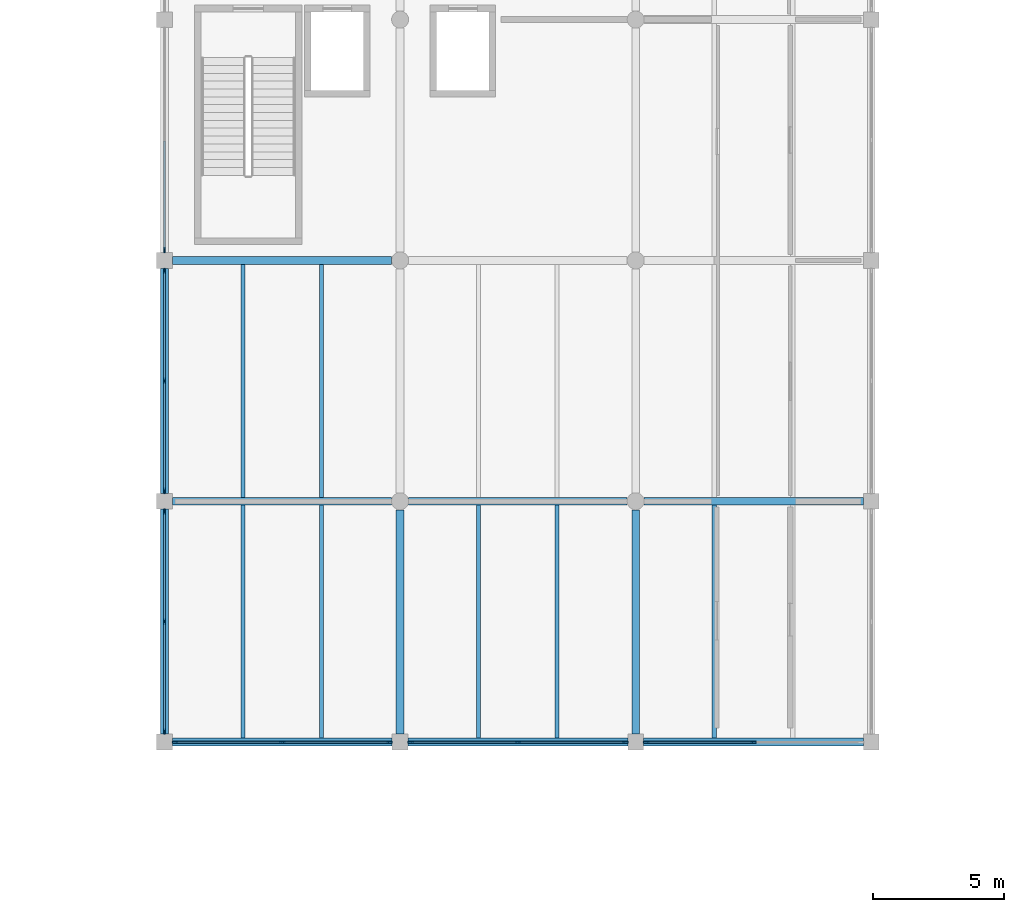
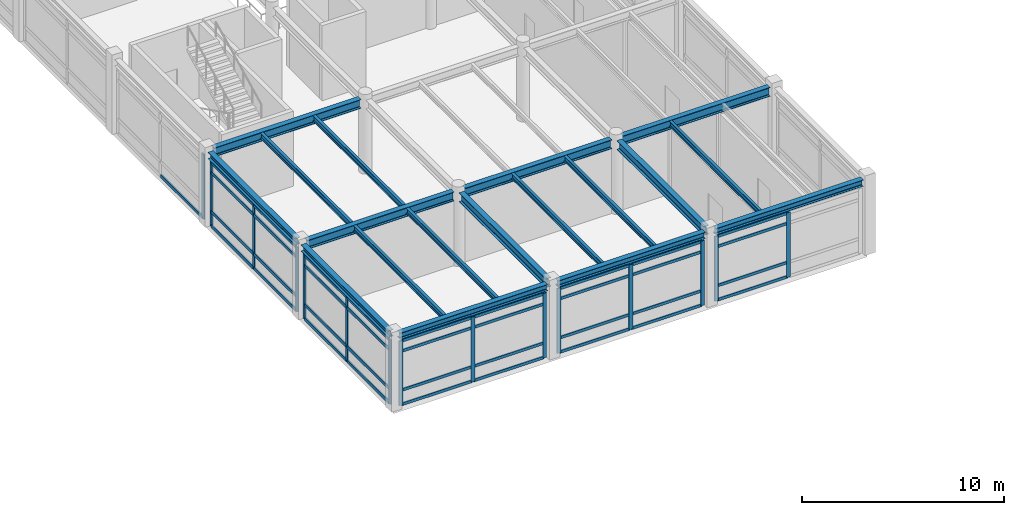
# One storey, part 18 of 61: 52 members, 18 beams, 6 elements without a shape of their own.
"""IFC4 building model written with IfcOpenShell, lengths in metres."""

from ifc_helpers import new_model, si_unit, direction, frame, origin, origin_2d, place, context, subcontext, project, spatial, rectangle, i_section, extrude, material, material_profile, profile_set, type_object, element, aggregate, save


model = new_model("IFC4")

# Units and contexts
model_context = context("Model", 3, precision=1e-05, world=origin(), true_north=direction((0.0, 1.0)))
body_context = subcontext(model_context, "Body", "Model", "MODEL_VIEW")
ifc_project = project(units=[si_unit("LENGTHUNIT", "METRE"), si_unit("AREAUNIT", "SQUARE_METRE"), si_unit("VOLUMEUNIT", "CUBIC_METRE"), si_unit("PLANEANGLEUNIT", "RADIAN"), si_unit("MASSUNIT", "GRAM", prefix="KILO")], contexts=[model_context])

# Site, building, storey
site_placement = place(None, origin())
site = spatial("IfcSite", under=ifc_project, at=site_placement, CompositionType="ELEMENT")
building_placement = place(site_placement, origin())
building = spatial("IfcBuilding", under=site, at=building_placement, Name="Bozkorgan Art Gallery", CompositionType="ELEMENT")
storey_placement = place(building_placement, frame((0.0, 0.0, 10.199951171875)))
storey = spatial("IfcBuildingStorey", under=building, at=storey_placement, Name="L02", CompositionType="ELEMENT", Elevation=10.199951171875)

# Beams
ifc_material_1 = material(Name="Steel S355J2", Category="steel")
ifc_material_profile_1 = material_profile(ifc_material_1, i_section(OverallWidth=0.300048828125, OverallDepth=0.5400390625, WebThickness=0.012451171875, FlangeThickness=0.02392578125, FilletRadius=0.027099609375, at=origin_2d()), Name="HEA 550")
ifc_profile_set_1 = profile_set([ifc_material_profile_1], Name="Steel S355J2")
beam_type_1 = type_object("IfcBeamType", Name="BEAM-BM-35", PredefinedType="BEAM", material=ifc_profile_set_1)
beam_1_placement = place(storey_placement, frame((74.300048828125, 47.60009765625, 4.2099609375), z_axis=(1.0, 0.0, 0.0), x_axis=(0.0, 1.0, 0.0)))
element("IfcBeam", 1, at=beam_1_placement, inside=storey, type_object=beam_type_1, Name="V4 L02 beam X (74-83, 47.6)", PredefinedType="BEAM", context=body_context, shape_type="SweptSolid", body=[
    extrude(i_section(OverallWidth=0.300048828125, OverallDepth=0.5400390625, WebThickness=0.012451171875, FlangeThickness=0.02392578125, FilletRadius=0.027099609375, at=origin_2d()), origin(), (0.0, 0.0, 1.0), 8.375),
])
beam_2_placement = place(storey_placement, frame((83.324951171875, 47.60009765625, 4.2099609375), z_axis=(1.0, 0.0, 0.0), x_axis=(0.0, 1.0, 0.0)))
element("IfcBeam", 2, at=beam_2_placement, inside=storey, type_object=beam_type_1, Name="V4 L02 beam X (83-92, 47.6)", PredefinedType="BEAM", context=body_context, shape_type="SweptSolid", body=[
    extrude(i_section(OverallWidth=0.300048828125, OverallDepth=0.5400390625, WebThickness=0.012451171875, FlangeThickness=0.02392578125, FilletRadius=0.027099609375, at=origin_2d()), origin(), (0.0, 0.0, 1.0), 8.35009765625),
])
for number, where, z_axis, x_axis, name in (
    (3, (92.324951171875, 47.60009765625, 4.2099609375), (1.0, 0.0, 0.0), (0.0, 1.0, 0.0), "V4 L02 beam X (92-101, 47.6)"),
    (4, (74.300048828125, 56.800048828125, 4.2099609375), (1.0, 0.0, 0.0), (0.0, 1.0, 0.0), "V4 L02 beam X (74-83, 56.8)"),
):
    element("IfcBeam", number, at=place(storey_placement, frame(where, z_axis=z_axis, x_axis=x_axis)), inside=storey, type_object=beam_type_1, Name=name, PredefinedType="BEAM", context=body_context, shape_type="SweptSolid", body=[
        extrude(i_section(OverallWidth=0.300048828125, OverallDepth=0.5400390625, WebThickness=0.012451171875, FlangeThickness=0.02392578125, FilletRadius=0.027099609375, at=origin_2d()), origin(), (0.0, 0.0, 1.0), 8.375),
    ])
for number, where, z_axis, x_axis, name in (
    (5, (83.0, 38.699951171875, 4.2099609375), (0.0, 1.0, 0.0), (-1.0, 0.0, 0.0), "V4 L02 beam Y (83, 38.4-47.6)"),
    (6, (92.0, 38.699951171875, 4.2099609375), (0.0, 1.0, 0.0), (-1.0, 0.0, 0.0), "V4 L02 beam Y (92, 38.4-47.6)"),
):
    element("IfcBeam", number, at=place(storey_placement, frame(where, z_axis=z_axis, x_axis=x_axis)), inside=storey, type_object=beam_type_1, Name=name, PredefinedType="BEAM", context=body_context, shape_type="SweptSolid", body=[
        extrude(i_section(OverallWidth=0.300048828125, OverallDepth=0.5400390625, WebThickness=0.012451171875, FlangeThickness=0.02392578125, FilletRadius=0.027099609375, at=origin_2d()), origin(), (0.0, 0.0, 1.0), 8.574951171875),
    ])
ifc_material_profile_2 = material_profile(ifc_material_1, i_section(OverallWidth=0.159912109375, OverallDepth=0.330078125, WebThickness=0.007568359375, FlangeThickness=0.011474609375, FilletRadius=0.01806640625, at=origin_2d()), Name="IPE 330")
ifc_profile_set_2 = profile_set([ifc_material_profile_2], Name="Steel S355J2")
beam_type_2 = type_object("IfcBeamType", Name="BEAM-JS-33", PredefinedType="JOIST", material=ifc_profile_set_2)
for number, where, z_axis, x_axis, name in (
    (7, (77.0, 38.550048828125, 4.31494140625), (0.0, 1.0, 0.0), (-1.0, 0.0, 0.0), "V4 L02 secondary joist (74-83, 38.4-47.6) #1"),
    (8, (80.0, 38.550048828125, 4.31494140625), (0.0, 1.0, 0.0), (-1.0, 0.0, 0.0), "V4 L02 secondary joist (74-83, 38.4-47.6) #2"),
    (9, (77.0, 47.75, 4.31494140625), (0.0, 1.0, 0.0), (-1.0, 0.0, 0.0), "V4 L02 secondary joist (74-83, 47.6-56.8) #1"),
    (10, (80.0, 47.75, 4.31494140625), (0.0, 1.0, 0.0), (-1.0, 0.0, 0.0), "V4 L02 secondary joist (74-83, 47.6-56.8) #2"),
    (11, (86.0, 38.550048828125, 4.31494140625), (0.0, 1.0, 0.0), (-1.0, 0.0, 0.0), "V4 L02 secondary joist (83-92, 38.4-47.6) #1"),
    (12, (89.0, 38.550048828125, 4.31494140625), (0.0, 1.0, 0.0), (-1.0, 0.0, 0.0), "V4 L02 secondary joist (83-92, 38.4-47.6) #2"),
    (13, (95.0, 38.550048828125, 4.31494140625), (0.0, 1.0, 0.0), (-1.0, 0.0, 0.0), "V4 L02 secondary joist (92-101, 38.4-47.6) #1"),
):
    element("IfcBeam", number, at=place(storey_placement, frame(where, z_axis=z_axis, x_axis=x_axis)), inside=storey, type_object=beam_type_2, Name=name, PredefinedType="JOIST", context=body_context, shape_type="SweptSolid", body=[
        extrude(i_section(OverallWidth=0.159912109375, OverallDepth=0.330078125, WebThickness=0.007568359375, FlangeThickness=0.011474609375, FilletRadius=0.01806640625, at=origin_2d()), origin(), (0.0, 0.0, 1.0), 8.89990234375),
    ])
ifc_material_profile_3 = material_profile(ifc_material_1, i_section(OverallWidth=0.300048828125, OverallDepth=0.389892578125, WebThickness=0.010986328125, FlangeThickness=0.01904296875, FilletRadius=0.027099609375, at=origin_2d()), Name="HEA 400")
ifc_profile_set_3 = profile_set([ifc_material_profile_3], Name="Steel S355J2")
beam_type_3 = type_object("IfcBeamType", Name="BEAM-SP-65", PredefinedType="SPANDREL", material=ifc_profile_set_3)
for number, where, z_axis, x_axis, name in (
    (14, (74.300048828125, 38.39990234375, 4.28515625), (1.0, 0.0, 0.0), (0.0, 1.0, 0.0), "V4 L02 spandrel X (74-83, 38.4)"),
    (15, (83.300048828125, 38.39990234375, 4.28515625), (1.0, 0.0, 0.0), (0.0, 1.0, 0.0), "V4 L02 spandrel X (83-92, 38.4)"),
    (16, (92.300048828125, 38.39990234375, 4.28515625), (1.0, 0.0, 0.0), (0.0, 1.0, 0.0), "V4 L02 spandrel X (92-101, 38.4)"),
):
    element("IfcBeam", number, at=place(storey_placement, frame(where, z_axis=z_axis, x_axis=x_axis)), inside=storey, type_object=beam_type_3, Name=name, PredefinedType="SPANDREL", context=body_context, shape_type="SweptSolid", body=[
        extrude(i_section(OverallWidth=0.300048828125, OverallDepth=0.389892578125, WebThickness=0.010986328125, FlangeThickness=0.01904296875, FilletRadius=0.027099609375, at=origin_2d()), origin(), (0.0, 0.0, 1.0), 8.39990234375),
    ])
for number, where, z_axis, x_axis, name in (
    (17, (74.0, 38.699951171875, 4.28515625), (0.0, 1.0, 0.0), (-1.0, 0.0, 0.0), "V4 L02 spandrel Y (74, 38.4-47.6)"),
    (18, (74.0, 47.89990234375, 4.28515625), (0.0, 1.0, 0.0), (-1.0, 0.0, 0.0), "V4 L02 spandrel Y (74, 47.6-56.8)"),
):
    element("IfcBeam", number, at=place(storey_placement, frame(where, z_axis=z_axis, x_axis=x_axis)), inside=storey, type_object=beam_type_3, Name=name, PredefinedType="SPANDREL", context=body_context, shape_type="SweptSolid", body=[
        extrude(i_section(OverallWidth=0.300048828125, OverallDepth=0.389892578125, WebThickness=0.010986328125, FlangeThickness=0.01904296875, FilletRadius=0.027099609375, at=origin_2d()), origin(), (0.0, 0.0, 1.0), 8.60009765625),
    ])

# Curtain wall, members
ifc_material_2 = material(Name="Anodised Bronze Aluminium", Category="aluminium")
curtain_wall_type_1 = type_object("IfcCurtainWallType", Name="CW-CW-11", PredefinedType="NOTDEFINED", material=ifc_material_2)
curtain_wall_1_placement = place(storey_placement, origin())
curtain_wall_1 = element("IfcCurtainWall", 19, at=curtain_wall_1_placement, inside=storey, type_object=curtain_wall_type_1, Name="L02 unitised curtain wall CW-V4-L02-1S-01", PredefinedType="NOTDEFINED")
ifc_material_profile_4 = material_profile(ifc_material_2, rectangle(XDim=0.074951171875, YDim=0.219970703125, at=origin_2d()), Name="ALU MULLION 75x220")
ifc_profile_set_4 = profile_set([ifc_material_profile_4], Name="Anodised Bronze Aluminium")
member_type_1 = type_object("IfcMemberType", Name="CWM-02", PredefinedType="MULLION", material=ifc_profile_set_4)
member_1_placement = place(storey_placement, frame((74.402587890625, 38.39990234375, 0.02001953125), z_axis=(0.0, 0.0, 1.0), x_axis=(0.0, 1.0, 0.0)))
member_1 = element("IfcMember", 20, at=member_1_placement, type_object=member_type_1, Name="CW-11 mullion 1", PredefinedType="MULLION", context=body_context, shape_type="SweptSolid", body=[
    extrude(rectangle(XDim=0.074951171875, YDim=0.219970703125, at=origin_2d()), origin(), (0.0, 0.0, 1.0), 3.905029296875),
])
member_2_placement = place(storey_placement, frame((78.5, 38.39990234375, 0.02001953125), z_axis=(0.0, 0.0, 1.0), x_axis=(0.0, 1.0, 0.0)))
member_2 = element("IfcMember", 21, at=member_2_placement, type_object=member_type_1, Name="CW-11 mullion 2", PredefinedType="MULLION", context=body_context, shape_type="SweptSolid", body=[
    extrude(rectangle(XDim=0.074951171875, YDim=0.219970703125, at=origin_2d()), origin(), (0.0, 0.0, 1.0), 3.905029296875),
])
member_3_placement = place(storey_placement, frame((82.597412109375, 38.39990234375, 0.02001953125), z_axis=(0.0, 0.0, 1.0), x_axis=(0.0, 1.0, 0.0)))
member_3 = element("IfcMember", 22, at=member_3_placement, type_object=member_type_1, Name="CW-11 mullion 3", PredefinedType="MULLION", context=body_context, shape_type="SweptSolid", body=[
    extrude(rectangle(XDim=0.074951171875, YDim=0.219970703125, at=origin_2d()), origin(), (0.0, 0.0, 1.0), 3.905029296875),
])

curtain_wall_2_placement = place(storey_placement, origin())
curtain_wall_2 = element("IfcCurtainWall", 23, at=curtain_wall_2_placement, inside=storey, type_object=curtain_wall_type_1, Name="L02 unitised curtain wall CW-V4-L02-1S-03", PredefinedType="NOTDEFINED")
member_4_placement = place(storey_placement, frame((83.402587890625, 38.39990234375, 0.02001953125), z_axis=(0.0, 0.0, 1.0), x_axis=(0.0, 1.0, 0.0)))
member_4 = element("IfcMember", 24, at=member_4_placement, type_object=member_type_1, Name="CW-11 mullion 1", PredefinedType="MULLION", context=body_context, shape_type="SweptSolid", body=[
    extrude(rectangle(XDim=0.074951171875, YDim=0.219970703125, at=origin_2d()), origin(), (0.0, 0.0, 1.0), 3.905029296875),
])
member_5_placement = place(storey_placement, frame((87.5, 38.39990234375, 0.02001953125), z_axis=(0.0, 0.0, 1.0), x_axis=(0.0, 1.0, 0.0)))
member_5 = element("IfcMember", 25, at=member_5_placement, type_object=member_type_1, Name="CW-11 mullion 2", PredefinedType="MULLION", context=body_context, shape_type="SweptSolid", body=[
    extrude(rectangle(XDim=0.074951171875, YDim=0.219970703125, at=origin_2d()), origin(), (0.0, 0.0, 1.0), 3.905029296875),
])
member_6_placement = place(storey_placement, frame((91.597412109375, 38.39990234375, 0.02001953125), z_axis=(0.0, 0.0, 1.0), x_axis=(0.0, 1.0, 0.0)))
member_6 = element("IfcMember", 26, at=member_6_placement, type_object=member_type_1, Name="CW-11 mullion 3", PredefinedType="MULLION", context=body_context, shape_type="SweptSolid", body=[
    extrude(rectangle(XDim=0.074951171875, YDim=0.219970703125, at=origin_2d()), origin(), (0.0, 0.0, 1.0), 3.905029296875),
])

curtain_wall_3_placement = place(storey_placement, origin())
curtain_wall_3 = element("IfcCurtainWall", 27, at=curtain_wall_3_placement, inside=storey, type_object=curtain_wall_type_1, Name="L02 unitised curtain wall CW-V4-L02-1S-05", PredefinedType="NOTDEFINED")
member_7_placement = place(storey_placement, frame((92.402587890625, 38.39990234375, 0.02001953125), z_axis=(0.0, 0.0, 1.0), x_axis=(0.0, 1.0, 0.0)))
member_7 = element("IfcMember", 28, at=member_7_placement, type_object=member_type_1, Name="CW-11 mullion 1", PredefinedType="MULLION", context=body_context, shape_type="SweptSolid", body=[
    extrude(rectangle(XDim=0.074951171875, YDim=0.219970703125, at=origin_2d()), origin(), (0.0, 0.0, 1.0), 3.905029296875),
])
member_8_placement = place(storey_placement, frame((96.5, 38.39990234375, 0.02001953125), z_axis=(0.0, 0.0, 1.0), x_axis=(0.0, 1.0, 0.0)))
member_8 = element("IfcMember", 29, at=member_8_placement, type_object=member_type_1, Name="CW-11 mullion 2", PredefinedType="MULLION", context=body_context, shape_type="SweptSolid", body=[
    extrude(rectangle(XDim=0.074951171875, YDim=0.219970703125, at=origin_2d()), origin(), (0.0, 0.0, 1.0), 3.905029296875),
])

curtain_wall_type_2 = type_object("IfcCurtainWallType", Name="CW-CW-99", PredefinedType="NOTDEFINED", material=ifc_material_2)
curtain_wall_4_placement = place(storey_placement, origin())
curtain_wall_4 = element("IfcCurtainWall", 30, at=curtain_wall_4_placement, inside=storey, type_object=curtain_wall_type_2, Name="L02 unitised curtain wall CW-V4-L02-1W-07", PredefinedType="NOTDEFINED")
member_9_placement = place(storey_placement, frame((74.0, 38.802490234375, 0.02001953125), z_axis=(0.0, 0.0, 1.0), x_axis=(-1.0, 0.0, 0.0)))
member_9 = element("IfcMember", 31, at=member_9_placement, type_object=member_type_1, Name="CW-99 mullion 1", PredefinedType="MULLION", context=body_context, shape_type="SweptSolid", body=[
    extrude(rectangle(XDim=0.074951171875, YDim=0.219970703125, at=origin_2d()), origin(), (0.0, 0.0, 1.0), 3.905029296875),
])
member_10_placement = place(storey_placement, frame((74.0, 43.0, 0.02001953125), z_axis=(0.0, 0.0, 1.0), x_axis=(-1.0, 0.0, 0.0)))
member_10 = element("IfcMember", 32, at=member_10_placement, type_object=member_type_1, Name="CW-99 mullion 2", PredefinedType="MULLION", context=body_context, shape_type="SweptSolid", body=[
    extrude(rectangle(XDim=0.074951171875, YDim=0.219970703125, at=origin_2d()), origin(), (0.0, 0.0, 1.0), 3.905029296875),
])
member_11_placement = place(storey_placement, frame((74.0, 47.197509765625, 0.02001953125), z_axis=(0.0, 0.0, 1.0), x_axis=(-1.0, 0.0, 0.0)))
member_11 = element("IfcMember", 33, at=member_11_placement, type_object=member_type_1, Name="CW-99 mullion 3", PredefinedType="MULLION", context=body_context, shape_type="SweptSolid", body=[
    extrude(rectangle(XDim=0.074951171875, YDim=0.219970703125, at=origin_2d()), origin(), (0.0, 0.0, 1.0), 3.905029296875),
])

curtain_wall_5_placement = place(storey_placement, origin())
curtain_wall_5 = element("IfcCurtainWall", 34, at=curtain_wall_5_placement, inside=storey, type_object=curtain_wall_type_2, Name="L02 unitised curtain wall CW-V4-L02-1W-09", PredefinedType="NOTDEFINED")
member_12_placement = place(storey_placement, frame((74.0, 48.00244140625, 0.02001953125), z_axis=(0.0, 0.0, 1.0), x_axis=(-1.0, 0.0, 0.0)))
member_12 = element("IfcMember", 35, at=member_12_placement, type_object=member_type_1, Name="CW-99 mullion 1", PredefinedType="MULLION", context=body_context, shape_type="SweptSolid", body=[
    extrude(rectangle(XDim=0.074951171875, YDim=0.219970703125, at=origin_2d()), origin(), (0.0, 0.0, 1.0), 3.905029296875),
])
member_13_placement = place(storey_placement, frame((74.0, 52.199951171875, 0.02001953125), z_axis=(0.0, 0.0, 1.0), x_axis=(-1.0, 0.0, 0.0)))
member_13 = element("IfcMember", 36, at=member_13_placement, type_object=member_type_1, Name="CW-99 mullion 2", PredefinedType="MULLION", context=body_context, shape_type="SweptSolid", body=[
    extrude(rectangle(XDim=0.074951171875, YDim=0.219970703125, at=origin_2d()), origin(), (0.0, 0.0, 1.0), 3.905029296875),
])
member_14_placement = place(storey_placement, frame((74.0, 56.3974609375, 0.02001953125), z_axis=(0.0, 0.0, 1.0), x_axis=(-1.0, 0.0, 0.0)))
member_14 = element("IfcMember", 37, at=member_14_placement, type_object=member_type_1, Name="CW-99 mullion 3", PredefinedType="MULLION", context=body_context, shape_type="SweptSolid", body=[
    extrude(rectangle(XDim=0.074951171875, YDim=0.219970703125, at=origin_2d()), origin(), (0.0, 0.0, 1.0), 3.905029296875),
])

# Curtain wall, member
curtain_wall_6_placement = place(storey_placement, origin())
curtain_wall_6 = element("IfcCurtainWall", 38, at=curtain_wall_6_placement, inside=storey, type_object=curtain_wall_type_2, Name="L02 unitised curtain wall CW-V4-L02-1W-11", PredefinedType="NOTDEFINED")
member_15_placement = place(storey_placement, frame((74.0, 57.202392578125, 0.02001953125), z_axis=(0.0, 0.0, 1.0), x_axis=(-1.0, 0.0, 0.0)))
member_15 = element("IfcMember", 39, at=member_15_placement, type_object=member_type_1, Name="CW-99 mullion 1", PredefinedType="MULLION", context=body_context, shape_type="SweptSolid", body=[
    extrude(rectangle(XDim=0.074951171875, YDim=0.219970703125, at=origin_2d()), origin(), (0.0, 0.0, 1.0), 3.905029296875),
])

# Member
ifc_material_profile_5 = material_profile(ifc_material_2, rectangle(XDim=0.074951171875, YDim=0.169921875, at=origin_2d()), Name="ALU TRANSOM 75x170")
ifc_profile_set_5 = profile_set([ifc_material_profile_5], Name="Anodised Bronze Aluminium")
member_type_2 = type_object("IfcMemberType", Name="CWT-02", PredefinedType="USERDEFINED", material=ifc_profile_set_5)
member_16_placement = place(storey_placement, frame((74.43994140625, 38.39990234375, 0.0576171875), z_axis=(1.0, 0.0, 0.0), x_axis=(0.0, 1.0, 0.0)))
member_16 = element("IfcMember", 40, at=member_16_placement, type_object=member_type_2, Name="CW-11 transom 1.1", ObjectType="TRANSOM", PredefinedType="USERDEFINED", context=body_context, shape_type="SweptSolid", body=[
    extrude(rectangle(XDim=0.074951171875, YDim=0.169921875, at=origin_2d()), origin(), (0.0, 0.0, 1.0), 4.0224609375),
])

member_17_placement = place(storey_placement, frame((74.43994140625, 38.39990234375, 0.920166015625), z_axis=(1.0, 0.0, 0.0), x_axis=(0.0, 1.0, 0.0)))
member_17 = element("IfcMember", 41, at=member_17_placement, type_object=member_type_2, Name="CW-11 transom 1.2", ObjectType="TRANSOM", PredefinedType="USERDEFINED", context=body_context, shape_type="SweptSolid", body=[
    extrude(rectangle(XDim=0.074951171875, YDim=0.169921875, at=origin_2d()), origin(), (0.0, 0.0, 1.0), 4.0224609375),
])

member_18_placement = place(storey_placement, frame((74.43994140625, 38.39990234375, 3.275146484375), z_axis=(1.0, 0.0, 0.0), x_axis=(0.0, 1.0, 0.0)))
member_18 = element("IfcMember", 42, at=member_18_placement, type_object=member_type_2, Name="CW-11 transom 1.3", ObjectType="TRANSOM", PredefinedType="USERDEFINED", context=body_context, shape_type="SweptSolid", body=[
    extrude(rectangle(XDim=0.074951171875, YDim=0.169921875, at=origin_2d()), origin(), (0.0, 0.0, 1.0), 4.0224609375),
])

member_19_placement = place(storey_placement, frame((74.43994140625, 38.39990234375, 3.887451171875), z_axis=(1.0, 0.0, 0.0), x_axis=(0.0, 1.0, 0.0)))
member_19 = element("IfcMember", 43, at=member_19_placement, type_object=member_type_2, Name="CW-11 transom 1.4", ObjectType="TRANSOM", PredefinedType="USERDEFINED", context=body_context, shape_type="SweptSolid", body=[
    extrude(rectangle(XDim=0.074951171875, YDim=0.169921875, at=origin_2d()), origin(), (0.0, 0.0, 1.0), 4.0224609375),
])

member_20_placement = place(storey_placement, frame((78.53759765625, 38.39990234375, 0.0576171875), z_axis=(1.0, 0.0, 0.0), x_axis=(0.0, 1.0, 0.0)))
member_20 = element("IfcMember", 44, at=member_20_placement, type_object=member_type_2, Name="CW-11 transom 2.1", ObjectType="TRANSOM", PredefinedType="USERDEFINED", context=body_context, shape_type="SweptSolid", body=[
    extrude(rectangle(XDim=0.074951171875, YDim=0.169921875, at=origin_2d()), origin(), (0.0, 0.0, 1.0), 4.0224609375),
])

member_21_placement = place(storey_placement, frame((78.53759765625, 38.39990234375, 0.920166015625), z_axis=(1.0, 0.0, 0.0), x_axis=(0.0, 1.0, 0.0)))
member_21 = element("IfcMember", 45, at=member_21_placement, type_object=member_type_2, Name="CW-11 transom 2.2", ObjectType="TRANSOM", PredefinedType="USERDEFINED", context=body_context, shape_type="SweptSolid", body=[
    extrude(rectangle(XDim=0.074951171875, YDim=0.169921875, at=origin_2d()), origin(), (0.0, 0.0, 1.0), 4.0224609375),
])

member_22_placement = place(storey_placement, frame((78.53759765625, 38.39990234375, 3.275146484375), z_axis=(1.0, 0.0, 0.0), x_axis=(0.0, 1.0, 0.0)))
member_22 = element("IfcMember", 46, at=member_22_placement, type_object=member_type_2, Name="CW-11 transom 2.3", ObjectType="TRANSOM", PredefinedType="USERDEFINED", context=body_context, shape_type="SweptSolid", body=[
    extrude(rectangle(XDim=0.074951171875, YDim=0.169921875, at=origin_2d()), origin(), (0.0, 0.0, 1.0), 4.0224609375),
])

member_23_placement = place(storey_placement, frame((78.53759765625, 38.39990234375, 3.887451171875), z_axis=(1.0, 0.0, 0.0), x_axis=(0.0, 1.0, 0.0)))
member_23 = element("IfcMember", 47, at=member_23_placement, type_object=member_type_2, Name="CW-11 transom 2.4", ObjectType="TRANSOM", PredefinedType="USERDEFINED", context=body_context, shape_type="SweptSolid", body=[
    extrude(rectangle(XDim=0.074951171875, YDim=0.169921875, at=origin_2d()), origin(), (0.0, 0.0, 1.0), 4.0224609375),
])

aggregate(curtain_wall_1, [member_1, member_2, member_3, member_16, member_17, member_18, member_19, member_20, member_21, member_22, member_23])

member_24_placement = place(storey_placement, frame((83.43994140625, 38.39990234375, 0.0576171875), z_axis=(1.0, 0.0, 0.0), x_axis=(0.0, 1.0, 0.0)))
member_24 = element("IfcMember", 48, at=member_24_placement, type_object=member_type_2, Name="CW-11 transom 1.1", ObjectType="TRANSOM", PredefinedType="USERDEFINED", context=body_context, shape_type="SweptSolid", body=[
    extrude(rectangle(XDim=0.074951171875, YDim=0.169921875, at=origin_2d()), origin(), (0.0, 0.0, 1.0), 4.0224609375),
])

member_25_placement = place(storey_placement, frame((83.43994140625, 38.39990234375, 0.920166015625), z_axis=(1.0, 0.0, 0.0), x_axis=(0.0, 1.0, 0.0)))
member_25 = element("IfcMember", 49, at=member_25_placement, type_object=member_type_2, Name="CW-11 transom 1.2", ObjectType="TRANSOM", PredefinedType="USERDEFINED", context=body_context, shape_type="SweptSolid", body=[
    extrude(rectangle(XDim=0.074951171875, YDim=0.169921875, at=origin_2d()), origin(), (0.0, 0.0, 1.0), 4.0224609375),
])

member_26_placement = place(storey_placement, frame((83.43994140625, 38.39990234375, 3.275146484375), z_axis=(1.0, 0.0, 0.0), x_axis=(0.0, 1.0, 0.0)))
member_26 = element("IfcMember", 50, at=member_26_placement, type_object=member_type_2, Name="CW-11 transom 1.3", ObjectType="TRANSOM", PredefinedType="USERDEFINED", context=body_context, shape_type="SweptSolid", body=[
    extrude(rectangle(XDim=0.074951171875, YDim=0.169921875, at=origin_2d()), origin(), (0.0, 0.0, 1.0), 4.0224609375),
])

member_27_placement = place(storey_placement, frame((83.43994140625, 38.39990234375, 3.887451171875), z_axis=(1.0, 0.0, 0.0), x_axis=(0.0, 1.0, 0.0)))
member_27 = element("IfcMember", 51, at=member_27_placement, type_object=member_type_2, Name="CW-11 transom 1.4", ObjectType="TRANSOM", PredefinedType="USERDEFINED", context=body_context, shape_type="SweptSolid", body=[
    extrude(rectangle(XDim=0.074951171875, YDim=0.169921875, at=origin_2d()), origin(), (0.0, 0.0, 1.0), 4.0224609375),
])

member_28_placement = place(storey_placement, frame((87.53759765625, 38.39990234375, 0.0576171875), z_axis=(1.0, 0.0, 0.0), x_axis=(0.0, 1.0, 0.0)))
member_28 = element("IfcMember", 52, at=member_28_placement, type_object=member_type_2, Name="CW-11 transom 2.1", ObjectType="TRANSOM", PredefinedType="USERDEFINED", context=body_context, shape_type="SweptSolid", body=[
    extrude(rectangle(XDim=0.074951171875, YDim=0.169921875, at=origin_2d()), origin(), (0.0, 0.0, 1.0), 4.0224609375),
])

member_29_placement = place(storey_placement, frame((87.53759765625, 38.39990234375, 0.920166015625), z_axis=(1.0, 0.0, 0.0), x_axis=(0.0, 1.0, 0.0)))
member_29 = element("IfcMember", 53, at=member_29_placement, type_object=member_type_2, Name="CW-11 transom 2.2", ObjectType="TRANSOM", PredefinedType="USERDEFINED", context=body_context, shape_type="SweptSolid", body=[
    extrude(rectangle(XDim=0.074951171875, YDim=0.169921875, at=origin_2d()), origin(), (0.0, 0.0, 1.0), 4.0224609375),
])

member_30_placement = place(storey_placement, frame((87.53759765625, 38.39990234375, 3.275146484375), z_axis=(1.0, 0.0, 0.0), x_axis=(0.0, 1.0, 0.0)))
member_30 = element("IfcMember", 54, at=member_30_placement, type_object=member_type_2, Name="CW-11 transom 2.3", ObjectType="TRANSOM", PredefinedType="USERDEFINED", context=body_context, shape_type="SweptSolid", body=[
    extrude(rectangle(XDim=0.074951171875, YDim=0.169921875, at=origin_2d()), origin(), (0.0, 0.0, 1.0), 4.0224609375),
])

member_31_placement = place(storey_placement, frame((87.53759765625, 38.39990234375, 3.887451171875), z_axis=(1.0, 0.0, 0.0), x_axis=(0.0, 1.0, 0.0)))
member_31 = element("IfcMember", 55, at=member_31_placement, type_object=member_type_2, Name="CW-11 transom 2.4", ObjectType="TRANSOM", PredefinedType="USERDEFINED", context=body_context, shape_type="SweptSolid", body=[
    extrude(rectangle(XDim=0.074951171875, YDim=0.169921875, at=origin_2d()), origin(), (0.0, 0.0, 1.0), 4.0224609375),
])

aggregate(curtain_wall_2, [member_4, member_5, member_6, member_24, member_25, member_26, member_27, member_28, member_29, member_30, member_31])

member_32_placement = place(storey_placement, frame((92.43994140625, 38.39990234375, 0.0576171875), z_axis=(1.0, 0.0, 0.0), x_axis=(0.0, 1.0, 0.0)))
member_32 = element("IfcMember", 56, at=member_32_placement, type_object=member_type_2, Name="CW-11 transom 1.1", ObjectType="TRANSOM", PredefinedType="USERDEFINED", context=body_context, shape_type="SweptSolid", body=[
    extrude(rectangle(XDim=0.074951171875, YDim=0.169921875, at=origin_2d()), origin(), (0.0, 0.0, 1.0), 4.0224609375),
])

member_33_placement = place(storey_placement, frame((92.43994140625, 38.39990234375, 0.920166015625), z_axis=(1.0, 0.0, 0.0), x_axis=(0.0, 1.0, 0.0)))
member_33 = element("IfcMember", 57, at=member_33_placement, type_object=member_type_2, Name="CW-11 transom 1.2", ObjectType="TRANSOM", PredefinedType="USERDEFINED", context=body_context, shape_type="SweptSolid", body=[
    extrude(rectangle(XDim=0.074951171875, YDim=0.169921875, at=origin_2d()), origin(), (0.0, 0.0, 1.0), 4.0224609375),
])

member_34_placement = place(storey_placement, frame((92.43994140625, 38.39990234375, 3.275146484375), z_axis=(1.0, 0.0, 0.0), x_axis=(0.0, 1.0, 0.0)))
member_34 = element("IfcMember", 58, at=member_34_placement, type_object=member_type_2, Name="CW-11 transom 1.3", ObjectType="TRANSOM", PredefinedType="USERDEFINED", context=body_context, shape_type="SweptSolid", body=[
    extrude(rectangle(XDim=0.074951171875, YDim=0.169921875, at=origin_2d()), origin(), (0.0, 0.0, 1.0), 4.0224609375),
])

member_35_placement = place(storey_placement, frame((92.43994140625, 38.39990234375, 3.887451171875), z_axis=(1.0, 0.0, 0.0), x_axis=(0.0, 1.0, 0.0)))
member_35 = element("IfcMember", 59, at=member_35_placement, type_object=member_type_2, Name="CW-11 transom 1.4", ObjectType="TRANSOM", PredefinedType="USERDEFINED", context=body_context, shape_type="SweptSolid", body=[
    extrude(rectangle(XDim=0.074951171875, YDim=0.169921875, at=origin_2d()), origin(), (0.0, 0.0, 1.0), 4.0224609375),
])

aggregate(curtain_wall_3, [member_7, member_8, member_32, member_33, member_34, member_35])

ifc_material_profile_6 = material_profile(ifc_material_2, rectangle(XDim=0.080078125, YDim=0.199951171875, at=origin_2d()), Name="ALU TRANSOM 80x200")
ifc_profile_set_6 = profile_set([ifc_material_profile_6], Name="Anodised Bronze Aluminium")
member_type_3 = type_object("IfcMemberType", Name="CWT-03", PredefinedType="USERDEFINED", material=ifc_profile_set_6)
member_36_placement = place(storey_placement, frame((74.0, 38.840087890625, 0.06005859375), z_axis=(0.0, 1.0, 0.0), x_axis=(-1.0, 0.0, 0.0)))
member_36 = element("IfcMember", 60, at=member_36_placement, type_object=member_type_3, Name="CW-99 transom 1.1", ObjectType="TRANSOM", PredefinedType="USERDEFINED", context=body_context, shape_type="SweptSolid", body=[
    extrude(rectangle(XDim=0.080078125, YDim=0.199951171875, at=origin_2d()), origin(), (0.0, 0.0, 1.0), 4.122314453125),
])

member_37_placement = place(storey_placement, frame((74.0, 38.840087890625, 0.920166015625), z_axis=(0.0, 1.0, 0.0), x_axis=(-1.0, 0.0, 0.0)))
member_37 = element("IfcMember", 61, at=member_37_placement, type_object=member_type_3, Name="CW-99 transom 1.2", ObjectType="TRANSOM", PredefinedType="USERDEFINED", context=body_context, shape_type="SweptSolid", body=[
    extrude(rectangle(XDim=0.080078125, YDim=0.199951171875, at=origin_2d()), origin(), (0.0, 0.0, 1.0), 4.122314453125),
])

member_38_placement = place(storey_placement, frame((74.0, 38.840087890625, 3.275146484375), z_axis=(0.0, 1.0, 0.0), x_axis=(-1.0, 0.0, 0.0)))
member_38 = element("IfcMember", 62, at=member_38_placement, type_object=member_type_3, Name="CW-99 transom 1.3", ObjectType="TRANSOM", PredefinedType="USERDEFINED", context=body_context, shape_type="SweptSolid", body=[
    extrude(rectangle(XDim=0.080078125, YDim=0.199951171875, at=origin_2d()), origin(), (0.0, 0.0, 1.0), 4.122314453125),
])

member_39_placement = place(storey_placement, frame((74.0, 38.840087890625, 3.885009765625), z_axis=(0.0, 1.0, 0.0), x_axis=(-1.0, 0.0, 0.0)))
member_39 = element("IfcMember", 63, at=member_39_placement, type_object=member_type_3, Name="CW-99 transom 1.4", ObjectType="TRANSOM", PredefinedType="USERDEFINED", context=body_context, shape_type="SweptSolid", body=[
    extrude(rectangle(XDim=0.080078125, YDim=0.199951171875, at=origin_2d()), origin(), (0.0, 0.0, 1.0), 4.122314453125),
])

member_40_placement = place(storey_placement, frame((74.0, 43.03759765625, 0.06005859375), z_axis=(0.0, 1.0, 0.0), x_axis=(-1.0, 0.0, 0.0)))
member_40 = element("IfcMember", 64, at=member_40_placement, type_object=member_type_3, Name="CW-99 transom 2.1", ObjectType="TRANSOM", PredefinedType="USERDEFINED", context=body_context, shape_type="SweptSolid", body=[
    extrude(rectangle(XDim=0.080078125, YDim=0.199951171875, at=origin_2d()), origin(), (0.0, 0.0, 1.0), 4.122314453125),
])

member_41_placement = place(storey_placement, frame((74.0, 43.03759765625, 0.920166015625), z_axis=(0.0, 1.0, 0.0), x_axis=(-1.0, 0.0, 0.0)))
member_41 = element("IfcMember", 65, at=member_41_placement, type_object=member_type_3, Name="CW-99 transom 2.2", ObjectType="TRANSOM", PredefinedType="USERDEFINED", context=body_context, shape_type="SweptSolid", body=[
    extrude(rectangle(XDim=0.080078125, YDim=0.199951171875, at=origin_2d()), origin(), (0.0, 0.0, 1.0), 4.122314453125),
])

member_42_placement = place(storey_placement, frame((74.0, 43.03759765625, 3.275146484375), z_axis=(0.0, 1.0, 0.0), x_axis=(-1.0, 0.0, 0.0)))
member_42 = element("IfcMember", 66, at=member_42_placement, type_object=member_type_3, Name="CW-99 transom 2.3", ObjectType="TRANSOM", PredefinedType="USERDEFINED", context=body_context, shape_type="SweptSolid", body=[
    extrude(rectangle(XDim=0.080078125, YDim=0.199951171875, at=origin_2d()), origin(), (0.0, 0.0, 1.0), 4.122314453125),
])

member_43_placement = place(storey_placement, frame((74.0, 43.03759765625, 3.885009765625), z_axis=(0.0, 1.0, 0.0), x_axis=(-1.0, 0.0, 0.0)))
member_43 = element("IfcMember", 67, at=member_43_placement, type_object=member_type_3, Name="CW-99 transom 2.4", ObjectType="TRANSOM", PredefinedType="USERDEFINED", context=body_context, shape_type="SweptSolid", body=[
    extrude(rectangle(XDim=0.080078125, YDim=0.199951171875, at=origin_2d()), origin(), (0.0, 0.0, 1.0), 4.122314453125),
])

aggregate(curtain_wall_4, [member_9, member_10, member_11, member_36, member_37, member_38, member_39, member_40, member_41, member_42, member_43])

member_44_placement = place(storey_placement, frame((74.0, 48.0400390625, 0.06005859375), z_axis=(0.0, 1.0, 0.0), x_axis=(-1.0, 0.0, 0.0)))
member_44 = element("IfcMember", 68, at=member_44_placement, type_object=member_type_3, Name="CW-99 transom 1.1", ObjectType="TRANSOM", PredefinedType="USERDEFINED", context=body_context, shape_type="SweptSolid", body=[
    extrude(rectangle(XDim=0.080078125, YDim=0.199951171875, at=origin_2d()), origin(), (0.0, 0.0, 1.0), 4.12255859375),
])

member_45_placement = place(storey_placement, frame((74.0, 48.0400390625, 0.920166015625), z_axis=(0.0, 1.0, 0.0), x_axis=(-1.0, 0.0, 0.0)))
member_45 = element("IfcMember", 69, at=member_45_placement, type_object=member_type_3, Name="CW-99 transom 1.2", ObjectType="TRANSOM", PredefinedType="USERDEFINED", context=body_context, shape_type="SweptSolid", body=[
    extrude(rectangle(XDim=0.080078125, YDim=0.199951171875, at=origin_2d()), origin(), (0.0, 0.0, 1.0), 4.12255859375),
])

member_46_placement = place(storey_placement, frame((74.0, 48.0400390625, 3.275146484375), z_axis=(0.0, 1.0, 0.0), x_axis=(-1.0, 0.0, 0.0)))
member_46 = element("IfcMember", 70, at=member_46_placement, type_object=member_type_3, Name="CW-99 transom 1.3", ObjectType="TRANSOM", PredefinedType="USERDEFINED", context=body_context, shape_type="SweptSolid", body=[
    extrude(rectangle(XDim=0.080078125, YDim=0.199951171875, at=origin_2d()), origin(), (0.0, 0.0, 1.0), 4.12255859375),
])

member_47_placement = place(storey_placement, frame((74.0, 48.0400390625, 3.885009765625), z_axis=(0.0, 1.0, 0.0), x_axis=(-1.0, 0.0, 0.0)))
member_47 = element("IfcMember", 71, at=member_47_placement, type_object=member_type_3, Name="CW-99 transom 1.4", ObjectType="TRANSOM", PredefinedType="USERDEFINED", context=body_context, shape_type="SweptSolid", body=[
    extrude(rectangle(XDim=0.080078125, YDim=0.199951171875, at=origin_2d()), origin(), (0.0, 0.0, 1.0), 4.12255859375),
])

member_48_placement = place(storey_placement, frame((74.0, 52.237548828125, 0.06005859375), z_axis=(0.0, 1.0, 0.0), x_axis=(-1.0, 0.0, 0.0)))
member_48 = element("IfcMember", 72, at=member_48_placement, type_object=member_type_3, Name="CW-99 transom 2.1", ObjectType="TRANSOM", PredefinedType="USERDEFINED", context=body_context, shape_type="SweptSolid", body=[
    extrude(rectangle(XDim=0.080078125, YDim=0.199951171875, at=origin_2d()), origin(), (0.0, 0.0, 1.0), 4.12255859375),
])

member_49_placement = place(storey_placement, frame((74.0, 52.237548828125, 0.920166015625), z_axis=(0.0, 1.0, 0.0), x_axis=(-1.0, 0.0, 0.0)))
member_49 = element("IfcMember", 73, at=member_49_placement, type_object=member_type_3, Name="CW-99 transom 2.2", ObjectType="TRANSOM", PredefinedType="USERDEFINED", context=body_context, shape_type="SweptSolid", body=[
    extrude(rectangle(XDim=0.080078125, YDim=0.199951171875, at=origin_2d()), origin(), (0.0, 0.0, 1.0), 4.12255859375),
])

member_50_placement = place(storey_placement, frame((74.0, 52.237548828125, 3.275146484375), z_axis=(0.0, 1.0, 0.0), x_axis=(-1.0, 0.0, 0.0)))
member_50 = element("IfcMember", 74, at=member_50_placement, type_object=member_type_3, Name="CW-99 transom 2.3", ObjectType="TRANSOM", PredefinedType="USERDEFINED", context=body_context, shape_type="SweptSolid", body=[
    extrude(rectangle(XDim=0.080078125, YDim=0.199951171875, at=origin_2d()), origin(), (0.0, 0.0, 1.0), 4.12255859375),
])

member_51_placement = place(storey_placement, frame((74.0, 52.237548828125, 3.885009765625), z_axis=(0.0, 1.0, 0.0), x_axis=(-1.0, 0.0, 0.0)))
member_51 = element("IfcMember", 75, at=member_51_placement, type_object=member_type_3, Name="CW-99 transom 2.4", ObjectType="TRANSOM", PredefinedType="USERDEFINED", context=body_context, shape_type="SweptSolid", body=[
    extrude(rectangle(XDim=0.080078125, YDim=0.199951171875, at=origin_2d()), origin(), (0.0, 0.0, 1.0), 4.12255859375),
])

aggregate(curtain_wall_5, [member_12, member_13, member_14, member_44, member_45, member_46, member_47, member_48, member_49, member_50, member_51])

member_52_placement = place(storey_placement, frame((74.0, 57.239990234375, 0.06005859375), z_axis=(0.0, 1.0, 0.0), x_axis=(-1.0, 0.0, 0.0)))
member_52 = element("IfcMember", 76, at=member_52_placement, type_object=member_type_3, Name="CW-99 transom 1.1", ObjectType="TRANSOM", PredefinedType="USERDEFINED", context=body_context, shape_type="SweptSolid", body=[
    extrude(rectangle(XDim=0.080078125, YDim=0.199951171875, at=origin_2d()), origin(), (0.0, 0.0, 1.0), 4.12255859375),
])

aggregate(curtain_wall_6, [member_15, member_52])

save(model, "model.ifc")
